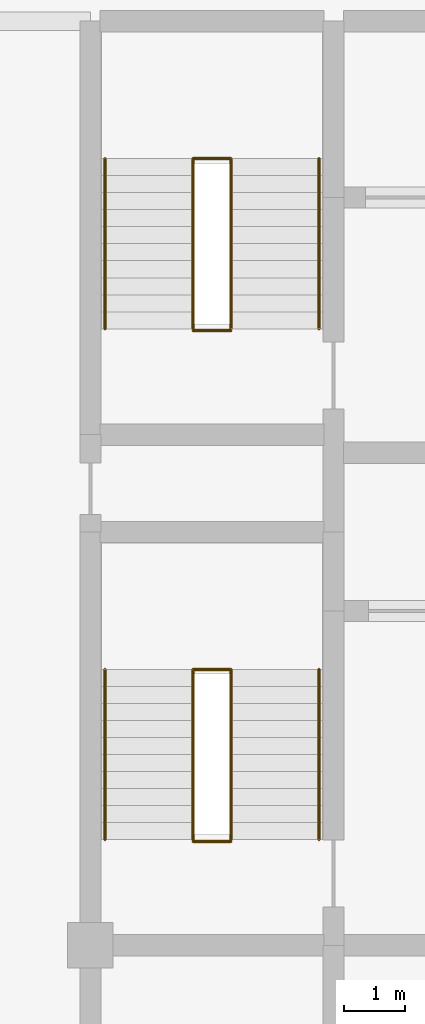
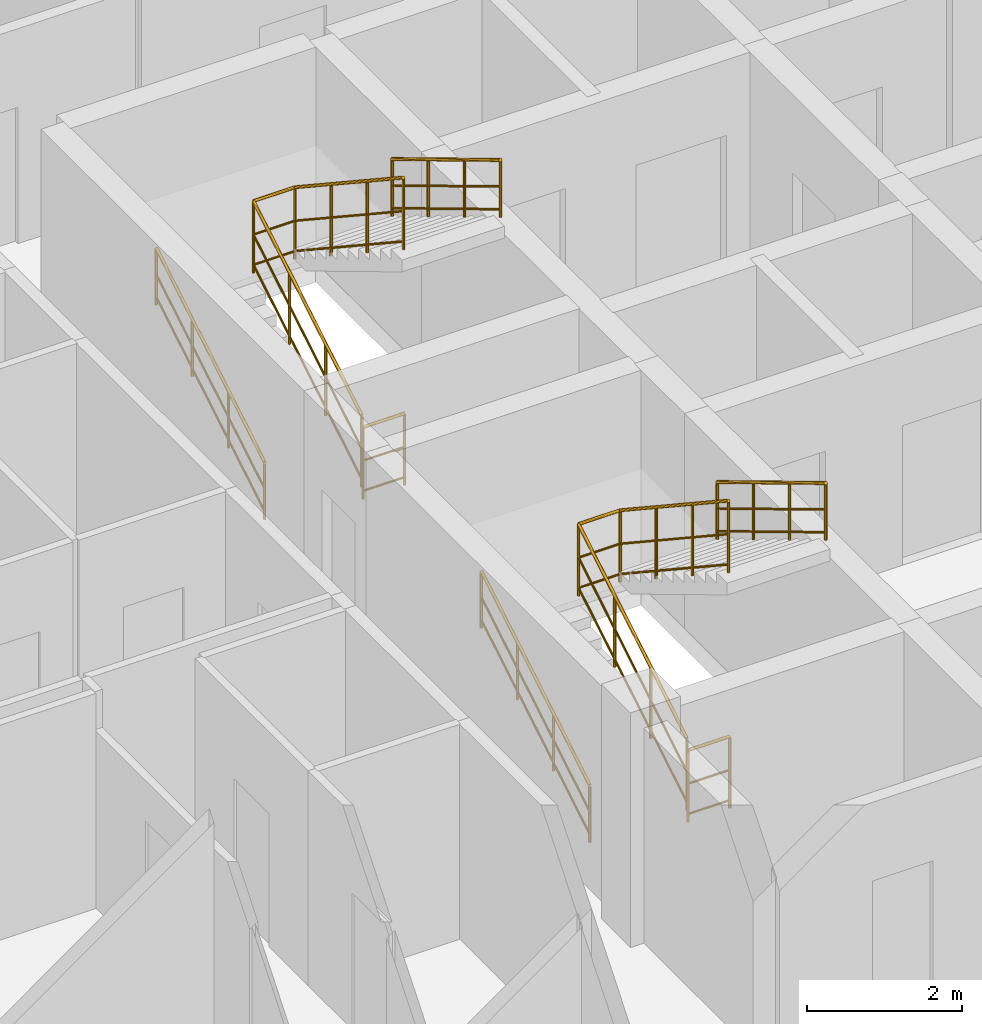
# One storey, part 27 of 27: 8 railings.
"""IFC4 building model written with IfcOpenShell, lengths in metres."""

import ifcopenshell
import ifcopenshell.guid

model = None  # the IFC model being written
_history = None  # IfcOwnerHistory: only IFC2X3 demands one
_inside = {}  # id of a spatial element -> (the spatial element, [elements in it])
_under = {}  # id of a project, library or spatial element -> (it, [spatial elements below it])
_declared = {}  # id of a project -> (the project, [libraries it declares])
_typed = {}  # id of a type object -> (the type object, [elements of that type])
_made_of = {}  # id of a material, layer set ... -> (it, [elements and type objects made of it])


def new_model(schema):
    """Start an empty IFC model of exactly this schema.

    Asked for "IFC4X3", IfcOpenShell would pick the latest addendum, in which some entities
    have other attributes; the version numbers below select the first issue.
    IFC2X3 requires an IfcOwnerHistory on every rooted entity: one is made here for all.
    """
    global model, _history
    if schema == "IFC4X3":
        model = ifcopenshell.file(schema_version=(4, 3, 0, 0))
    else:
        model = ifcopenshell.file(schema=schema)
    _inside.clear()
    _under.clear()
    _declared.clear()
    _typed.clear()
    _made_of.clear()
    _history = None
    if model.schema == "IFC2X3":
        org = make("IfcOrganization", Name="unknown")
        user = make(
            "IfcPersonAndOrganization",
            ThePerson=make("IfcPerson", FamilyName="unknown"),
            TheOrganization=org,
        )
        app = make(
            "IfcApplication",
            ApplicationDeveloper=org,
            Version="unknown",
            ApplicationFullName="unknown",
            ApplicationIdentifier="unknown",
        )
        _history = make(
            "IfcOwnerHistory",
            OwningUser=user,
            OwningApplication=app,
            ChangeAction="ADDED",
            CreationDate=0,
        )
    return model


def make(cls, **values):
    """One entity of the class cls with the attributes given. An attribute that is None is left unset."""
    return model.create_entity(
        cls, **{name: value for name, value in values.items() if value is not None}
    )


def rooted(cls, **values):
    """An entity with a GlobalId (a new one), such as an element, a storey or a relation."""
    return make(cls, GlobalId=ifcopenshell.guid.new(), OwnerHistory=_history, **values)


def si_unit(unit_type, name, prefix=None):
    """IfcSIUnit, for example si_unit("LENGTHUNIT", "METRE", prefix="MILLI")."""
    return make("IfcSIUnit", UnitType=unit_type, Prefix=prefix, Name=name)


def assignment(units):
    """IfcUnitAssignment: the units of a project."""
    return None if units is None else make("IfcUnitAssignment", Units=units)


def point(xyz):
    """IfcCartesianPoint."""
    return None if xyz is None else make("IfcCartesianPoint", Coordinates=xyz)


def direction(xyz):
    """IfcDirection."""
    return None if xyz is None else make("IfcDirection", DirectionRatios=xyz)


def frame(location, z_axis=None, x_axis=None):
    """IfcAxis2Placement3D, a coordinate frame: its origin and axes. An axis left out is left unset."""
    return make(
        "IfcAxis2Placement3D",
        Location=point(location),
        Axis=direction(z_axis),
        RefDirection=direction(x_axis),
    )


def frame_2d(location, x_axis=None):
    """IfcAxis2Placement2D, a coordinate frame in the plane: its origin and x axis."""
    return make(
        "IfcAxis2Placement2D", Location=point(location), RefDirection=direction(x_axis)
    )


def origin():
    """The frame at (0, 0, 0) with its axes left unset."""
    return frame((0.0, 0.0, 0.0))


def origin_2d():
    """The frame at (0, 0) in the plane with its x axis left unset."""
    return frame_2d((0.0, 0.0))


def place(relative_to, where):
    """IfcLocalPlacement: puts the frame where relative to a parent placement (None: the world)."""
    return make(
        "IfcLocalPlacement", PlacementRelTo=relative_to, RelativePlacement=where
    )


def context(
    kind, dimensions, precision=None, world=None, true_north=None, identifier=None
):
    """IfcGeometricRepresentationContext, for example the 3D "Model" context."""
    return make(
        "IfcGeometricRepresentationContext",
        ContextIdentifier=identifier,
        ContextType=kind,
        CoordinateSpaceDimension=dimensions,
        Precision=precision,
        WorldCoordinateSystem=world,
        TrueNorth=true_north,
    )


def subcontext(parent, identifier, kind, view, scale=None):
    """IfcGeometricRepresentationSubContext, for example "Body" below "Model"."""
    return make(
        "IfcGeometricRepresentationSubContext",
        ContextIdentifier=identifier,
        ContextType=kind,
        ParentContext=parent,
        TargetScale=scale,
        TargetView=view,
    )


def project(units=None, contexts=None):
    """IfcProject with its units and contexts."""
    return rooted(
        "IfcProject",
        Name="project",
        RepresentationContexts=contexts,
        UnitsInContext=assignment(units),
    )


def spatial(cls, under=None, at=None, **own):
    """A site, building, storey or space (cls), placed at a placement, below another one or the project."""
    s = rooted(cls, ObjectPlacement=at, **own)
    if under is not None:
        _under.setdefault(under.id(), (under, []))[1].append(s)
    return s


def profile(cls, at=None, kind="AREA", **sizes):
    """A parametric profile (cls). Its sizes go by their IFC names, for example OverallWidth=200.0."""
    return make(cls, ProfileType=kind, Position=at, **sizes)


def circle(**sizes):
    """IfcCircleProfileDef."""
    return profile("IfcCircleProfileDef", **sizes)


def extrude(swept, where, along, depth):
    """IfcExtrudedAreaSolid: the profile swept, set in the frame where, extruded along a direction by depth."""
    return make(
        "IfcExtrudedAreaSolid",
        SweptArea=swept,
        Position=where,
        ExtrudedDirection=direction(along),
        Depth=depth,
    )


def shape(context_of_items, identifier, shape_type, items):
    """IfcShapeRepresentation: the items that make up one representation, for example the "Body"."""
    return make(
        "IfcShapeRepresentation",
        ContextOfItems=context_of_items,
        RepresentationIdentifier=identifier,
        RepresentationType=shape_type,
        Items=items,
    )


def material(Name=None, Category=None):
    """IfcMaterial."""
    return make("IfcMaterial", Name=Name, Category=Category)


def layer(
    of_material, thickness, ventilated=None, Name=None, Category=None, Priority=None
):
    """IfcMaterialLayer: one layer of a wall or slab, of a material (None: an air gap)."""
    return make(
        "IfcMaterialLayer",
        Material=of_material,
        LayerThickness=thickness,
        IsVentilated=ventilated,
        Name=Name,
        Category=Category,
        Priority=Priority,
    )


def layer_set(layers, Name=None):
    """IfcMaterialLayerSet."""
    return make("IfcMaterialLayerSet", MaterialLayers=layers, LayerSetName=Name)


def made_of(thing, what):
    """Note that an element or type object is made of a material, layer set ...; save() writes the relation."""
    if what is not None:
        _made_of.setdefault(what.id(), (what, []))[1].append(thing)
    return thing


def type_object(cls, material=None, **own):
    """A type object (cls), such as IfcWallType, which elements share."""
    return made_of(rooted(cls, **own), material)


def element(
    cls,
    number,
    at=None,
    inside=None,
    cuts=None,
    type_object=None,
    material=None,
    context=None,
    identifier="Body",
    shape_type=None,
    held_by="IfcProductDefinitionShape",
    body=None,
    shapes=None,
    **own,
):
    """One element of the class cls, such as IfcWall. Its Tag is "e" and its number.

    at: its placement. inside: the storey or other place that contains it. cuts: it is an
    opening in that element (IfcRelVoidsElement). A single representation is given by context,
    identifier, shape_type and body (its items); several are given by shapes. held_by: the class
    of the entity that holds the representations. save() writes the other relations.
    """
    e = rooted(cls, Tag="e%d" % number, ObjectPlacement=at, **own)
    if body is not None:
        shapes = [shape(context, identifier, shape_type, body)]
    if shapes is not None:
        e.Representation = make(held_by, Representations=shapes)
    if inside is not None:
        _inside.setdefault(inside.id(), (inside, []))[1].append(e)
    if cuts is not None:
        rooted(
            "IfcRelVoidsElement", RelatingBuildingElement=cuts, RelatedOpeningElement=e
        )
    if type_object is not None:
        _typed.setdefault(type_object.id(), (type_object, []))[1].append(e)
    return made_of(e, material)


def aggregate(whole, parts):
    """IfcRelAggregates: a whole, such as a stair, and the parts it consists of."""
    return rooted("IfcRelAggregates", RelatingObject=whole, RelatedObjects=parts)


def save(model, path):
    """Write the relations noted so far, then the file.

    IfcRelAggregates (storeys below a building ...), IfcRelContainedInSpatialStructure (elements
    in a storey), IfcRelDefinesByType, IfcRelAssociatesMaterial and IfcRelDeclares: one each for
    every whole, place, type object, material and project.
    """
    for whole, parts in _under.values():
        aggregate(whole, parts)
    for where, things in _inside.values():
        rooted(
            "IfcRelContainedInSpatialStructure",
            RelatedElements=things,
            RelatingStructure=where,
        )
    for kind, things in _typed.values():
        rooted("IfcRelDefinesByType", RelatedObjects=things, RelatingType=kind)
    for what, things in _made_of.values():
        rooted("IfcRelAssociatesMaterial", RelatedObjects=things, RelatingMaterial=what)
    for by, libraries in _declared.values():
        rooted("IfcRelDeclares", RelatingContext=by, RelatedDefinitions=libraries)
    model.write(path)


model = new_model("IFC4")

# Units and contexts
model_context = context("Model", 3, precision=1e-05, world=origin(), true_north=direction((0.0, 1.0)))
body_context = subcontext(model_context, "Body", "Model", "MODEL_VIEW")
ifc_project = project(units=[si_unit("LENGTHUNIT", "METRE"), si_unit("AREAUNIT", "SQUARE_METRE"), si_unit("VOLUMEUNIT", "CUBIC_METRE"), si_unit("PLANEANGLEUNIT", "RADIAN"), si_unit("MASSUNIT", "GRAM", prefix="KILO")], contexts=[model_context])

# Site, building, storey
site_placement = place(None, origin())
site = spatial("IfcSite", under=ifc_project, at=site_placement, CompositionType="ELEMENT")
building_placement = place(site_placement, origin())
building = spatial("IfcBuilding", under=site, at=building_placement, Name="Keshet Zoharim Tower", CompositionType="ELEMENT")
storey_placement = place(building_placement, frame((0.0, 0.0, 262.10009765625)))
storey = spatial("IfcBuildingStorey", under=building, at=storey_placement, Name="L65", CompositionType="ELEMENT", Elevation=262.10009765625)

# Railings
ifc_material = material(Name="Steel S355", Category="steel")
ifc_layer_1 = layer(ifc_material, 0.050048828125)
ifc_layer_set_1 = layer_set([ifc_layer_1], Name="Steel S355")
railing_type_1 = type_object("IfcRailingType", Name="RL-HND-092", PredefinedType="HANDRAIL", material=ifc_layer_set_1)
railing_1_placement = place(storey_placement, frame((15.239990234375, 24.43994140625, 0.168212890625)))
element("IfcRailing", 1, at=railing_1_placement, inside=storey, type_object=railing_type_1, Name="L65 ST-01 Flight 1 Wall Handrail", PredefinedType="HANDRAIL", context=body_context, shape_type="SweptSolid", body=[
    extrude(circle(Radius=0.02392578125, at=origin_2d()), frame((0.0, 0.0, 0.89599609375), z_axis=(0.0, 0.857275202839, 0.514858452973), x_axis=(-1.0, 0.0, 0.0)), (0.0, 0.0, 1.0), 3.26611328125),
    extrude(circle(Radius=0.01611328125, at=origin_2d()), frame((0.0, 0.0, 0.478271484375), z_axis=(0.0, 0.857275202839, 0.514858452973), x_axis=(-1.0, 0.0, 0.0)), (0.0, 0.0, 1.0), 3.26611328125),
    extrude(circle(Radius=0.01611328125, at=origin_2d()), frame((0.0, 0.0, 0.1201171875), z_axis=(0.0, 0.857275202839, 0.514858452973), x_axis=(-1.0, 0.0, 0.0)), (0.0, 0.0, 1.0), 3.26611328125),
    extrude(circle(Radius=0.02099609375, at=origin_2d()), origin(), (0.0, 0.0, 1.0), 0.871826171875),
    extrude(circle(Radius=0.02099609375, at=origin_2d()), frame((0.0, 0.933349609375, 0.560546875)), (0.0, 0.0, 1.0), 0.871826171875),
    extrude(circle(Radius=0.02099609375, at=origin_2d()), frame((0.0, 1.86669921875, 1.12109375)), (0.0, 0.0, 1.0), 0.871826171875),
    extrude(circle(Radius=0.02099609375, at=origin_2d()), frame((0.0, 2.800048828125, 1.681640625)), (0.0, 0.0, 1.0), 0.871826171875),
])
railing_2_placement = place(storey_placement, frame((18.760009765625, 27.239990234375, 2.01806640625)))
element("IfcRailing", 2, at=railing_2_placement, inside=storey, type_object=railing_type_1, Name="L65 ST-01 Flight 2 Wall Handrail", PredefinedType="HANDRAIL", context=body_context, shape_type="SweptSolid", body=[
    extrude(circle(Radius=0.02392578125, at=origin_2d()), frame((0.0, 0.0, 0.89599609375), z_axis=(0.0, -0.857242210791, 0.514913383045), x_axis=(1.0, 0.0, 0.0)), (0.0, 0.0, 1.0), 3.266357421875),
    extrude(circle(Radius=0.01611328125, at=origin_2d()), frame((0.0, 0.0, 0.478271484375), z_axis=(0.0, -0.857242210791, 0.514913383045), x_axis=(1.0, 0.0, 0.0)), (0.0, 0.0, 1.0), 3.266357421875),
    extrude(circle(Radius=0.01611328125, at=origin_2d()), frame((0.0, 0.0, 0.1201171875), z_axis=(0.0, -0.857242210791, 0.514913383045), x_axis=(1.0, 0.0, 0.0)), (0.0, 0.0, 1.0), 3.266357421875),
    extrude(circle(Radius=0.02099609375, at=origin_2d()), origin(), (0.0, 0.0, 1.0), 0.871826171875),
    extrude(circle(Radius=0.02099609375, at=origin_2d()), frame((0.0, -0.933349609375, 0.560546875)), (0.0, 0.0, 1.0), 0.871826171875),
    extrude(circle(Radius=0.02099609375, at=origin_2d()), frame((0.0, -1.86669921875, 1.121337890625)), (0.0, 0.0, 1.0), 0.871826171875),
    extrude(circle(Radius=0.02099609375, at=origin_2d()), frame((0.0, -2.800048828125, 1.681884765625)), (0.0, 0.0, 1.0), 0.871826171875),
])
railing_3_placement = place(storey_placement, frame((15.239990234375, 32.840087890625, 0.168212890625)))
element("IfcRailing", 3, at=railing_3_placement, inside=storey, type_object=railing_type_1, Name="L65 ST-02 Flight 1 Wall Handrail", PredefinedType="HANDRAIL", context=body_context, shape_type="SweptSolid", body=[
    extrude(circle(Radius=0.02392578125, at=origin_2d()), frame((0.0, 0.0, 0.89599609375), z_axis=(0.0, 0.857255387014, 0.514891446264), x_axis=(-1.0, 0.0, 0.0)), (0.0, 0.0, 1.0), 3.26611328125),
    extrude(circle(Radius=0.01611328125, at=origin_2d()), frame((0.0, 0.0, 0.478271484375), z_axis=(0.0, 0.857255387014, 0.514891446264), x_axis=(-1.0, 0.0, 0.0)), (0.0, 0.0, 1.0), 3.26611328125),
    extrude(circle(Radius=0.01611328125, at=origin_2d()), frame((0.0, 0.0, 0.1201171875), z_axis=(0.0, 0.857255387014, 0.514891446264), x_axis=(-1.0, 0.0, 0.0)), (0.0, 0.0, 1.0), 3.26611328125),
    extrude(circle(Radius=0.02099609375, at=origin_2d()), origin(), (0.0, 0.0, 1.0), 0.871826171875),
    extrude(circle(Radius=0.02099609375, at=origin_2d()), frame((0.0, 0.933349609375, 0.560546875)), (0.0, 0.0, 1.0), 0.871826171875),
    extrude(circle(Radius=0.02099609375, at=origin_2d()), frame((0.0, 1.866455078125, 1.12109375)), (0.0, 0.0, 1.0), 0.871826171875),
    extrude(circle(Radius=0.02099609375, at=origin_2d()), frame((0.0, 2.7998046875, 1.681640625)), (0.0, 0.0, 1.0), 0.871826171875),
])
railing_4_placement = place(storey_placement, frame((18.760009765625, 35.639892578125, 2.01806640625)))
element("IfcRailing", 4, at=railing_4_placement, inside=storey, type_object=railing_type_1, Name="L65 ST-02 Flight 2 Wall Handrail", PredefinedType="HANDRAIL", context=body_context, shape_type="SweptSolid", body=[
    extrude(circle(Radius=0.02392578125, at=origin_2d()), frame((0.0, 0.0, 0.89599609375), z_axis=(0.0, -0.857222391501, 0.514946377315), x_axis=(1.0, 0.0, 0.0)), (0.0, 0.0, 1.0), 3.26611328125),
    extrude(circle(Radius=0.01611328125, at=origin_2d()), frame((0.0, 0.0, 0.478271484375), z_axis=(0.0, -0.857222391501, 0.514946377315), x_axis=(1.0, 0.0, 0.0)), (0.0, 0.0, 1.0), 3.26611328125),
    extrude(circle(Radius=0.01611328125, at=origin_2d()), frame((0.0, 0.0, 0.1201171875), z_axis=(0.0, -0.857222391501, 0.514946377315), x_axis=(1.0, 0.0, 0.0)), (0.0, 0.0, 1.0), 3.26611328125),
    extrude(circle(Radius=0.02099609375, at=origin_2d()), origin(), (0.0, 0.0, 1.0), 0.871826171875),
    extrude(circle(Radius=0.02099609375, at=origin_2d()), frame((0.0, -0.933349609375, 0.560546875)), (0.0, 0.0, 1.0), 0.871826171875),
    extrude(circle(Radius=0.02099609375, at=origin_2d()), frame((0.0, -1.866455078125, 1.121337890625)), (0.0, 0.0, 1.0), 0.871826171875),
    extrude(circle(Radius=0.02099609375, at=origin_2d()), frame((0.0, -2.7998046875, 1.681884765625)), (0.0, 0.0, 1.0), 0.871826171875),
])
ifc_layer_2 = layer(ifc_material, 0.06005859375)
ifc_layer_set_2 = layer_set([ifc_layer_2], Name="Steel S355")
railing_type_2 = type_object("IfcRailingType", Name="RL-STG-115", PredefinedType="GUARDRAIL", material=ifc_layer_set_2)
railing_5_placement = place(storey_placement, frame((16.68994140625, 24.43994140625, 0.168212890625)))
element("IfcRailing", 5, at=railing_5_placement, inside=storey, type_object=railing_type_2, Name="L65 ST-01 Inner Well Guardrail", PredefinedType="GUARDRAIL", context=body_context, shape_type="SweptSolid", body=[
    extrude(circle(Radius=0.02392578125, at=origin_2d()), frame((0.0, 0.0, 1.1259765625), z_axis=(0.0, 0.857275202839, 0.514858452973), x_axis=(-1.0, 0.0, 0.0)), (0.0, 0.0, 1.0), 3.26611328125),
    extrude(circle(Radius=0.01611328125, at=origin_2d()), frame((0.0, 0.0, 0.597900390625), z_axis=(0.0, 0.857275202839, 0.514858452973), x_axis=(-1.0, 0.0, 0.0)), (0.0, 0.0, 1.0), 3.26611328125),
    extrude(circle(Radius=0.01611328125, at=origin_2d()), frame((0.0, 0.0, 0.1201171875), z_axis=(0.0, 0.857275202839, 0.514858452973), x_axis=(-1.0, 0.0, 0.0)), (0.0, 0.0, 1.0), 3.26611328125),
    extrude(circle(Radius=0.02392578125, at=origin_2d()), frame((0.0, 2.800048828125, 2.8076171875), z_axis=(1.0, 0.0, 0.0), x_axis=(0.0, 1.0, 0.0)), (0.0, 0.0, 1.0), 0.6201171875),
    extrude(circle(Radius=0.01611328125, at=origin_2d()), frame((0.0, 2.800048828125, 2.279541015625), z_axis=(1.0, 0.0, 0.0), x_axis=(0.0, 1.0, 0.0)), (0.0, 0.0, 1.0), 0.6201171875),
    extrude(circle(Radius=0.01611328125, at=origin_2d()), frame((0.0, 2.800048828125, 1.8017578125), z_axis=(1.0, 0.0, 0.0), x_axis=(0.0, 1.0, 0.0)), (0.0, 0.0, 1.0), 0.6201171875),
    extrude(circle(Radius=0.02392578125, at=origin_2d()), frame((0.6201171875, 2.800048828125, 2.8076171875), z_axis=(0.0, -0.834326358476, 0.551270829586), x_axis=(1.0, 0.0, 0.0)), (0.0, 0.0, 1.0), 3.35595703125),
    extrude(circle(Radius=0.01611328125, at=origin_2d()), frame((0.6201171875, 2.800048828125, 2.279541015625), z_axis=(0.0, -0.834326358476, 0.551270829586), x_axis=(1.0, 0.0, 0.0)), (0.0, 0.0, 1.0), 3.35595703125),
    extrude(circle(Radius=0.01611328125, at=origin_2d()), frame((0.6201171875, 2.800048828125, 1.8017578125), z_axis=(0.0, -0.834326358476, 0.551270829586), x_axis=(1.0, 0.0, 0.0)), (0.0, 0.0, 1.0), 3.35595703125),
    extrude(circle(Radius=0.02099609375, at=origin_2d()), origin(), (0.0, 0.0, 1.0), 1.101806640625),
    extrude(circle(Radius=0.02099609375, at=origin_2d()), frame((0.0, 0.933349609375, 0.560546875)), (0.0, 0.0, 1.0), 1.101806640625),
    extrude(circle(Radius=0.02099609375, at=origin_2d()), frame((0.0, 1.86669921875, 1.12109375)), (0.0, 0.0, 1.0), 1.101806640625),
    extrude(circle(Radius=0.02099609375, at=origin_2d()), frame((0.0, 2.800048828125, 1.681640625)), (0.0, 0.0, 1.0), 1.101806640625),
    extrude(circle(Radius=0.02099609375, at=origin_2d()), frame((0.6201171875, 2.800048828125, 1.681640625)), (0.0, 0.0, 1.0), 1.101806640625),
    extrude(circle(Radius=0.02099609375, at=origin_2d()), frame((0.6201171875, 1.86669921875, 2.29833984375)), (0.0, 0.0, 1.0), 1.101806640625),
    extrude(circle(Radius=0.02099609375, at=origin_2d()), frame((0.6201171875, 0.933349609375, 2.9150390625)), (0.0, 0.0, 1.0), 1.101806640625),
    extrude(circle(Radius=0.02099609375, at=origin_2d()), frame((0.6201171875, 0.0, 3.53173828125)), (0.0, 0.0, 1.0), 1.101806640625),
])
railing_6_placement = place(storey_placement, frame((16.68994140625, 24.409912109375, 0.0)))
element("IfcRailing", 6, at=railing_6_placement, inside=storey, type_object=railing_type_2, Name="L65 ST-01 Stairwell Floor Guardrail", PredefinedType="GUARDRAIL", context=body_context, shape_type="SweptSolid", body=[
    extrude(circle(Radius=0.02392578125, at=origin_2d()), frame((0.0, 0.0, 1.1259765625), z_axis=(1.0, 0.0, 0.0), x_axis=(0.0, 1.0, 0.0)), (0.0, 0.0, 1.0), 0.6201171875),
    extrude(circle(Radius=0.01611328125, at=origin_2d()), frame((0.0, 0.0, 0.597900390625), z_axis=(1.0, 0.0, 0.0), x_axis=(0.0, 1.0, 0.0)), (0.0, 0.0, 1.0), 0.6201171875),
    extrude(circle(Radius=0.01611328125, at=origin_2d()), frame((0.0, 0.0, 0.1201171875), z_axis=(1.0, 0.0, 0.0), x_axis=(0.0, 1.0, 0.0)), (0.0, 0.0, 1.0), 0.6201171875),
    extrude(circle(Radius=0.02099609375, at=origin_2d()), origin(), (0.0, 0.0, 1.0), 1.101806640625),
    extrude(circle(Radius=0.02099609375, at=origin_2d()), frame((0.6201171875, 0.0, 0.0)), (0.0, 0.0, 1.0), 1.101806640625),
])
railing_7_placement = place(storey_placement, frame((16.68994140625, 32.840087890625, 0.168212890625)))
element("IfcRailing", 7, at=railing_7_placement, inside=storey, type_object=railing_type_2, Name="L65 ST-02 Inner Well Guardrail", PredefinedType="GUARDRAIL", context=body_context, shape_type="SweptSolid", body=[
    extrude(circle(Radius=0.02392578125, at=origin_2d()), frame((0.0, 0.0, 1.1259765625), z_axis=(0.0, 0.857255387014, 0.514891446264), x_axis=(-1.0, 0.0, 0.0)), (0.0, 0.0, 1.0), 3.26611328125),
    extrude(circle(Radius=0.01611328125, at=origin_2d()), frame((0.0, 0.0, 0.597900390625), z_axis=(0.0, 0.857255387014, 0.514891446264), x_axis=(-1.0, 0.0, 0.0)), (0.0, 0.0, 1.0), 3.26611328125),
    extrude(circle(Radius=0.01611328125, at=origin_2d()), frame((0.0, 0.0, 0.1201171875), z_axis=(0.0, 0.857255387014, 0.514891446264), x_axis=(-1.0, 0.0, 0.0)), (0.0, 0.0, 1.0), 3.26611328125),
    extrude(circle(Radius=0.02392578125, at=origin_2d()), frame((0.0, 2.7998046875, 2.8076171875), z_axis=(1.0, 0.0, 0.0), x_axis=(0.0, 1.0, 0.0)), (0.0, 0.0, 1.0), 0.6201171875),
    extrude(circle(Radius=0.01611328125, at=origin_2d()), frame((0.0, 2.7998046875, 2.279541015625), z_axis=(1.0, 0.0, 0.0), x_axis=(0.0, 1.0, 0.0)), (0.0, 0.0, 1.0), 0.6201171875),
    extrude(circle(Radius=0.01611328125, at=origin_2d()), frame((0.0, 2.7998046875, 1.8017578125), z_axis=(1.0, 0.0, 0.0), x_axis=(0.0, 1.0, 0.0)), (0.0, 0.0, 1.0), 0.6201171875),
    extrude(circle(Radius=0.02392578125, at=origin_2d()), frame((0.6201171875, 2.7998046875, 2.8076171875), z_axis=(0.0, -0.834304248922, 0.551304290053), x_axis=(1.0, 0.0, 0.0)), (0.0, 0.0, 1.0), 3.35595703125),
    extrude(circle(Radius=0.01611328125, at=origin_2d()), frame((0.6201171875, 2.7998046875, 2.279541015625), z_axis=(0.0, -0.834304248922, 0.551304290053), x_axis=(1.0, 0.0, 0.0)), (0.0, 0.0, 1.0), 3.35595703125),
    extrude(circle(Radius=0.01611328125, at=origin_2d()), frame((0.6201171875, 2.7998046875, 1.8017578125), z_axis=(0.0, -0.834304248922, 0.551304290053), x_axis=(1.0, 0.0, 0.0)), (0.0, 0.0, 1.0), 3.35595703125),
    extrude(circle(Radius=0.02099609375, at=origin_2d()), origin(), (0.0, 0.0, 1.0), 1.101806640625),
    extrude(circle(Radius=0.02099609375, at=origin_2d()), frame((0.0, 0.933349609375, 0.560546875)), (0.0, 0.0, 1.0), 1.101806640625),
    extrude(circle(Radius=0.02099609375, at=origin_2d()), frame((0.0, 1.866455078125, 1.12109375)), (0.0, 0.0, 1.0), 1.101806640625),
    extrude(circle(Radius=0.02099609375, at=origin_2d()), frame((0.0, 2.7998046875, 1.681640625)), (0.0, 0.0, 1.0), 1.101806640625),
    extrude(circle(Radius=0.02099609375, at=origin_2d()), frame((0.6201171875, 2.7998046875, 1.681640625)), (0.0, 0.0, 1.0), 1.101806640625),
    extrude(circle(Radius=0.02099609375, at=origin_2d()), frame((0.6201171875, 1.866455078125, 2.29833984375)), (0.0, 0.0, 1.0), 1.101806640625),
    extrude(circle(Radius=0.02099609375, at=origin_2d()), frame((0.6201171875, 0.933349609375, 2.9150390625)), (0.0, 0.0, 1.0), 1.101806640625),
    extrude(circle(Radius=0.02099609375, at=origin_2d()), frame((0.6201171875, 0.0, 3.53173828125)), (0.0, 0.0, 1.0), 1.101806640625),
])
railing_8_placement = place(storey_placement, frame((16.68994140625, 32.81005859375, 0.0)))
element("IfcRailing", 8, at=railing_8_placement, inside=storey, type_object=railing_type_2, Name="L65 ST-02 Stairwell Floor Guardrail", PredefinedType="GUARDRAIL", context=body_context, shape_type="SweptSolid", body=[
    extrude(circle(Radius=0.02392578125, at=origin_2d()), frame((0.0, 0.0, 1.1259765625), z_axis=(1.0, 0.0, 0.0), x_axis=(0.0, 1.0, 0.0)), (0.0, 0.0, 1.0), 0.6201171875),
    extrude(circle(Radius=0.01611328125, at=origin_2d()), frame((0.0, 0.0, 0.597900390625), z_axis=(1.0, 0.0, 0.0), x_axis=(0.0, 1.0, 0.0)), (0.0, 0.0, 1.0), 0.6201171875),
    extrude(circle(Radius=0.01611328125, at=origin_2d()), frame((0.0, 0.0, 0.1201171875), z_axis=(1.0, 0.0, 0.0), x_axis=(0.0, 1.0, 0.0)), (0.0, 0.0, 1.0), 0.6201171875),
    extrude(circle(Radius=0.02099609375, at=origin_2d()), origin(), (0.0, 0.0, 1.0), 1.101806640625),
    extrude(circle(Radius=0.02099609375, at=origin_2d()), frame((0.6201171875, 0.0, 0.0)), (0.0, 0.0, 1.0), 1.101806640625),
])

save(model, "model.ifc")
